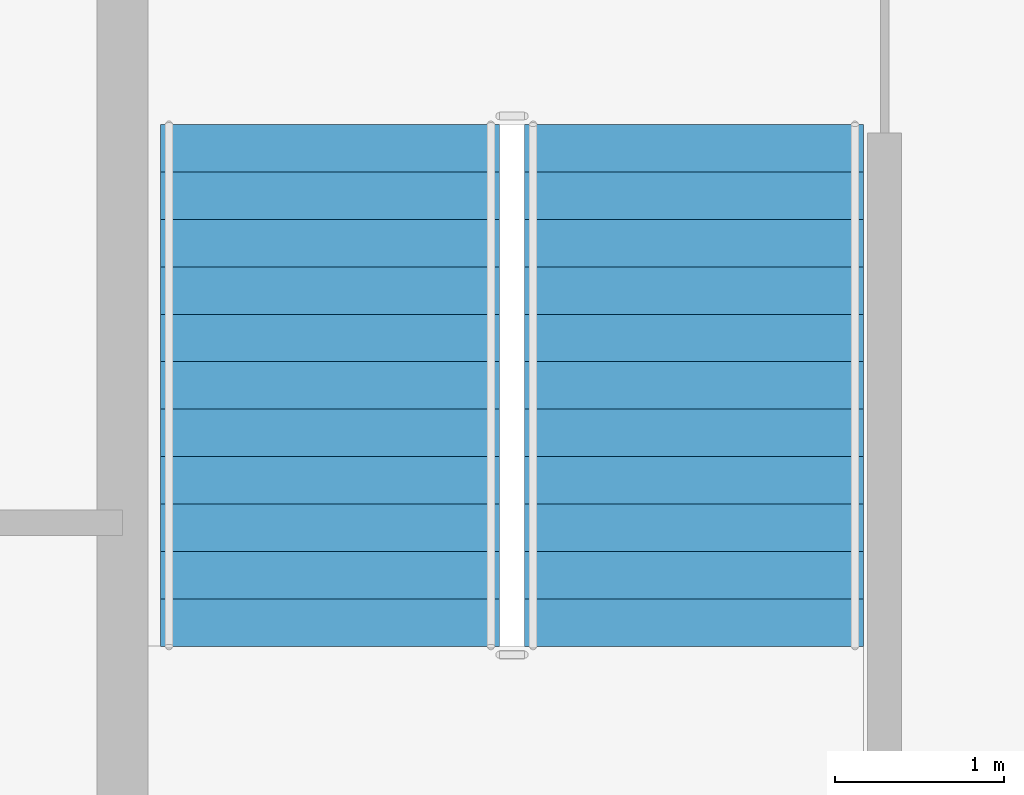
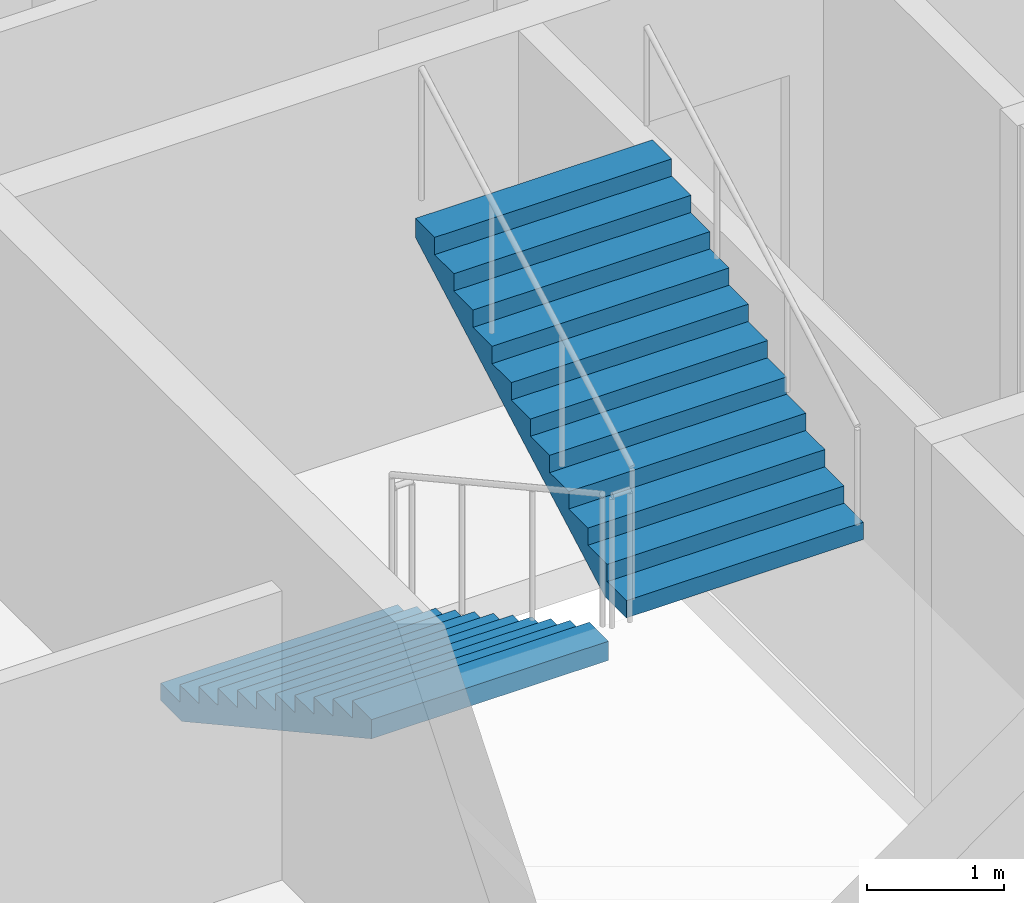
# One storey, part 7 of 11: 2 stair flights, 1 element without a shape of its own.
"""IFC4 building model written with IfcOpenShell, lengths in metres."""

from ifc_helpers import new_model, si_unit, direction, frame, origin, place, context, subcontext, project, spatial, polygons, material, type_object, element, aggregate, save


model = new_model("IFC4")

# Units and contexts
model_context = context("Model", 3, precision=1e-05, world=origin(), true_north=direction((0.0, 1.0)))
body_context = subcontext(model_context, "Body", "Model", "MODEL_VIEW")
ifc_project = project(units=[si_unit("LENGTHUNIT", "METRE"), si_unit("AREAUNIT", "SQUARE_METRE"), si_unit("VOLUMEUNIT", "CUBIC_METRE"), si_unit("PLANEANGLEUNIT", "RADIAN"), si_unit("MASSUNIT", "GRAM", prefix="KILO")], contexts=[model_context])

# Site, building, storey
site_placement = place(None, origin())
site = spatial("IfcSite", under=ifc_project, at=site_placement, CompositionType="ELEMENT")
building_placement = place(site_placement, origin())
building = spatial("IfcBuilding", under=site, at=building_placement, Name="Caravel Reach Hotel and Residences", CompositionType="ELEMENT")
storey_placement = place(building_placement, frame((0.0, 0.0, 274.89990234375)))
storey = spatial("IfcBuildingStorey", under=building, at=storey_placement, Name="L70", CompositionType="ELEMENT", Elevation=274.89990234375)

# Stair, stair flights
ifc_material_1 = material(Name="Concrete C40", Category="concrete")
stair_type = type_object("IfcStairType", Name="Core stair", PredefinedType="HALF_TURN_STAIR", material=ifc_material_1)
stair_placement = place(storey_placement, origin())
stair = element("IfcStair", 1, at=stair_placement, inside=storey, type_object=stair_type, Name="L70 Exit stair A", PredefinedType="HALF_TURN_STAIR")
ifc_material_2 = material(Name="Concrete C40", Category="concrete")
stair_flight_type = type_object("IfcStairFlightType", Name="Core stair flight", PredefinedType="STRAIGHT", material=ifc_material_2)
stair_flight_1_placement = place(storey_placement, frame((19.22509765625, 29.35009765625, 0.0), z_axis=(0.0, 0.0, 1.0), x_axis=(0.0, -1.0, 0.0)))
stair_flight_1 = element("IfcStairFlight", 2, at=stair_flight_1_placement, type_object=stair_flight_type, Name="ST-A flight 1", NumberOfRisers=12, NumberOfTreads=11, PredefinedType="STRAIGHT", RiserHeight=0.154166667, TreadLength=0.28, context=body_context, shape_type="Tessellation", body=[
    polygons([(0.3107950034306102, 1.0, 0.0), (0.3107950034306102, 0.6666666666666667, 0.0), (0.3107950034306102, 0.33333333333333337, 0.0), (0.3107950034306102, 0.0, 0.0), (0.3107950034306102, -0.33333333333333326, 0.0), (0.3107950034306102, -0.6666666666666667, 0.0), (0.3107950034306102, -1.0, 0.0), (3.081, 1.0, 1.524711087717319), (3.081, 0.6666666666666667, 1.524711087717319), (3.081, 0.33333333333333337, 1.524711087717319), (3.081, 0.0, 1.524711087717319), (3.081, -0.33333333333333326, 1.524711087717319), (3.081, -0.6666666666666667, 1.524711087717319), (3.081, -1.0, 1.524711087717319), (3.081, 1.0, 1.695833337), (3.081, 0.6666666666666667, 1.695833337), (3.081, 0.33333333333333337, 1.695833337), (3.081, 0.0, 1.695833337), (3.081, -0.33333333333333326, 1.695833337), (3.081, -0.6666666666666667, 1.695833337), (3.081, -1.0, 1.695833337), (2.8000000000000003, 1.0, 1.695833337), (2.8000000000000003, 0.6666666666666667, 1.695833337), (2.8000000000000003, 0.33333333333333337, 1.695833337), (2.8000000000000003, 0.0, 1.695833337), (2.8000000000000003, -0.33333333333333326, 1.695833337), (2.8000000000000003, -0.6666666666666667, 1.695833337), (2.8000000000000003, -1.0, 1.695833337), (2.8000000000000003, 1.0, 1.5416666700000001), (2.8000000000000003, 0.6666666666666667, 1.5416666700000001), (2.8000000000000003, 0.33333333333333337, 1.5416666700000001), (2.8000000000000003, 0.0, 1.5416666700000001), (2.8000000000000003, -0.33333333333333326, 1.5416666700000001), (2.8000000000000003, -0.6666666666666667, 1.5416666700000001), (2.8000000000000003, -1.0, 1.5416666700000001), (2.5200000000000005, 1.0, 1.5416666700000001), (2.5200000000000005, 0.6666666666666667, 1.5416666700000001), (2.5200000000000005, 0.33333333333333337, 1.5416666700000001), (2.5200000000000005, 0.0, 1.5416666700000001), (2.5200000000000005, -0.33333333333333326, 1.5416666700000001), (2.5200000000000005, -0.6666666666666667, 1.5416666700000001), (2.5200000000000005, -1.0, 1.5416666700000001), (2.5200000000000005, 1.0, 1.387500003), (2.5200000000000005, 0.6666666666666667, 1.387500003), (2.5200000000000005, 0.33333333333333337, 1.387500003), (2.5200000000000005, 0.0, 1.387500003), (2.5200000000000005, -0.33333333333333326, 1.387500003), (2.5200000000000005, -0.6666666666666667, 1.387500003), (2.5200000000000005, -1.0, 1.387500003), (2.24, 1.0, 1.387500003), (2.24, 0.6666666666666667, 1.387500003), (2.24, 0.33333333333333337, 1.387500003), (2.24, 0.0, 1.387500003), (2.24, -0.33333333333333326, 1.387500003), (2.24, -0.6666666666666667, 1.387500003), (2.24, -1.0, 1.387500003), (2.24, 1.0, 1.233333336), (2.24, 0.6666666666666667, 1.233333336), (2.24, 0.33333333333333337, 1.233333336), (2.24, 0.0, 1.233333336), (2.24, -0.33333333333333326, 1.233333336), (2.24, -0.6666666666666667, 1.233333336), (2.24, -1.0, 1.233333336), (1.9600000000000002, 1.0, 1.233333336), (1.9600000000000002, 0.6666666666666667, 1.233333336), (1.9600000000000002, 0.33333333333333337, 1.233333336), (1.9600000000000002, 0.0, 1.233333336), (1.9600000000000002, -0.33333333333333326, 1.233333336), (1.9600000000000002, -0.6666666666666667, 1.233333336), (1.9600000000000002, -1.0, 1.233333336), (1.9600000000000002, 1.0, 1.0791666690000001), (1.9600000000000002, 0.6666666666666667, 1.0791666690000001), (1.9600000000000002, 0.33333333333333337, 1.0791666690000001), (1.9600000000000002, 0.0, 1.0791666690000001), (1.9600000000000002, -0.33333333333333326, 1.0791666690000001), (1.9600000000000002, -0.6666666666666667, 1.0791666690000001), (1.9600000000000002, -1.0, 1.0791666690000001), (1.6800000000000002, 1.0, 1.0791666690000001), (1.6800000000000002, 0.6666666666666667, 1.0791666690000001), (1.6800000000000002, 0.33333333333333337, 1.0791666690000001), (1.6800000000000002, 0.0, 1.0791666690000001), (1.6800000000000002, -0.33333333333333326, 1.0791666690000001), (1.6800000000000002, -0.6666666666666667, 1.0791666690000001), (1.6800000000000002, -1.0, 1.0791666690000001), (1.6800000000000002, 1.0, 0.925000002), (1.6800000000000002, 0.6666666666666667, 0.925000002), (1.6800000000000002, 0.33333333333333337, 0.925000002), (1.6800000000000002, 0.0, 0.925000002), (1.6800000000000002, -0.33333333333333326, 0.925000002), (1.6800000000000002, -0.6666666666666667, 0.925000002), (1.6800000000000002, -1.0, 0.925000002), (1.4000000000000001, 1.0, 0.925000002), (1.4000000000000001, 0.6666666666666667, 0.925000002), (1.4000000000000001, 0.33333333333333337, 0.925000002), (1.4000000000000001, 0.0, 0.925000002), (1.4000000000000001, -0.33333333333333326, 0.925000002), (1.4000000000000001, -0.6666666666666667, 0.925000002), (1.4000000000000001, -1.0, 0.925000002), (1.4000000000000001, 1.0, 0.7708333350000001), (1.4000000000000001, 0.6666666666666667, 0.7708333350000001), (1.4000000000000001, 0.33333333333333337, 0.7708333350000001), (1.4000000000000001, 0.0, 0.7708333350000001), (1.4000000000000001, -0.33333333333333326, 0.7708333350000001), (1.4000000000000001, -0.6666666666666667, 0.7708333350000001), (1.4000000000000001, -1.0, 0.7708333350000001), (1.12, 1.0, 0.7708333350000001), (1.12, 0.6666666666666667, 0.7708333350000001), (1.12, 0.33333333333333337, 0.7708333350000001), (1.12, 0.0, 0.7708333350000001), (1.12, -0.33333333333333326, 0.7708333350000001), (1.12, -0.6666666666666667, 0.7708333350000001), (1.12, -1.0, 0.7708333350000001), (1.12, 1.0, 0.616666668), (1.12, 0.6666666666666667, 0.616666668), (1.12, 0.33333333333333337, 0.616666668), (1.12, 0.0, 0.616666668), (1.12, -0.33333333333333326, 0.616666668), (1.12, -0.6666666666666667, 0.616666668), (1.12, -1.0, 0.616666668), (0.8400000000000001, 1.0, 0.616666668), (0.8400000000000001, 0.6666666666666667, 0.616666668), (0.8400000000000001, 0.33333333333333337, 0.616666668), (0.8400000000000001, 0.0, 0.616666668), (0.8400000000000001, -0.33333333333333326, 0.616666668), (0.8400000000000001, -0.6666666666666667, 0.616666668), (0.8400000000000001, -1.0, 0.616666668), (0.8400000000000001, 1.0, 0.462500001), (0.8400000000000001, 0.6666666666666667, 0.462500001), (0.8400000000000001, 0.33333333333333337, 0.462500001), (0.8400000000000001, 0.0, 0.462500001), (0.8400000000000001, -0.33333333333333326, 0.462500001), (0.8400000000000001, -0.6666666666666667, 0.462500001), (0.8400000000000001, -1.0, 0.462500001), (0.56, 1.0, 0.462500001), (0.56, 0.6666666666666667, 0.462500001), (0.56, 0.33333333333333337, 0.462500001), (0.56, 0.0, 0.462500001), (0.56, -0.33333333333333326, 0.462500001), (0.56, -0.6666666666666667, 0.462500001), (0.56, -1.0, 0.462500001), (0.56, 1.0, 0.308333334), (0.56, 0.6666666666666667, 0.308333334), (0.56, 0.33333333333333337, 0.308333334), (0.56, 0.0, 0.308333334), (0.56, -0.33333333333333326, 0.308333334), (0.56, -0.6666666666666667, 0.308333334), (0.56, -1.0, 0.308333334), (0.28, 1.0, 0.308333334), (0.28, 0.6666666666666667, 0.308333334), (0.28, 0.33333333333333337, 0.308333334), (0.28, 0.0, 0.308333334), (0.28, -0.33333333333333326, 0.308333334), (0.28, -0.6666666666666667, 0.308333334), (0.28, -1.0, 0.308333334), (0.28, 1.0, 0.154166667), (0.28, 0.6666666666666667, 0.154166667), (0.28, 0.33333333333333337, 0.154166667), (0.28, 0.0, 0.154166667), (0.28, -0.33333333333333326, 0.154166667), (0.28, -0.6666666666666667, 0.154166667), (0.28, -1.0, 0.154166667), (-0.001, 1.0, 0.154166667), (-0.001, 0.6666666666666667, 0.154166667), (-0.001, 0.33333333333333337, 0.154166667), (-0.001, 0.0, 0.154166667), (-0.001, -0.33333333333333326, 0.154166667), (-0.001, -0.6666666666666667, 0.154166667), (-0.001, -1.0, 0.154166667), (-0.001, 1.0, 0.0), (-0.001, 0.6666666666666667, 0.0), (-0.001, 0.33333333333333337, 0.0), (-0.001, 0.0, 0.0), (-0.001, -0.33333333333333326, 0.0), (-0.001, -0.6666666666666667, 0.0), (-0.001, -1.0, 0.0)], [[[169, 162, 155, 148, 141, 134, 127, 120, 113, 106, 99, 92, 85, 78, 71, 64, 57, 50, 43, 36, 29, 22, 15, 8, 1]], [[7, 14, 21, 28, 35, 42, 49, 56, 63, 70, 77, 84, 91, 98, 105, 112, 119, 126, 133, 140, 147, 154, 161, 168, 175]], [[1, 8, 9, 2]], [[2, 9, 10, 3]], [[3, 10, 11, 4]], [[4, 11, 12, 5]], [[5, 12, 13, 6]], [[6, 13, 14, 7]], [[8, 15, 16, 9]], [[9, 16, 17, 10]], [[10, 17, 18, 11]], [[11, 18, 19, 12]], [[12, 19, 20, 13]], [[13, 20, 21, 14]], [[15, 22, 23, 16]], [[16, 23, 24, 17]], [[17, 24, 25, 18]], [[18, 25, 26, 19]], [[19, 26, 27, 20]], [[20, 27, 28, 21]], [[22, 29, 30, 23]], [[23, 30, 31, 24]], [[24, 31, 32, 25]], [[25, 32, 33, 26]], [[26, 33, 34, 27]], [[27, 34, 35, 28]], [[29, 36, 37, 30]], [[30, 37, 38, 31]], [[31, 38, 39, 32]], [[32, 39, 40, 33]], [[33, 40, 41, 34]], [[34, 41, 42, 35]], [[36, 43, 44, 37]], [[37, 44, 45, 38]], [[38, 45, 46, 39]], [[39, 46, 47, 40]], [[40, 47, 48, 41]], [[41, 48, 49, 42]], [[43, 50, 51, 44]], [[44, 51, 52, 45]], [[45, 52, 53, 46]], [[46, 53, 54, 47]], [[47, 54, 55, 48]], [[48, 55, 56, 49]], [[50, 57, 58, 51]], [[51, 58, 59, 52]], [[52, 59, 60, 53]], [[53, 60, 61, 54]], [[54, 61, 62, 55]], [[55, 62, 63, 56]], [[57, 64, 65, 58]], [[58, 65, 66, 59]], [[59, 66, 67, 60]], [[60, 67, 68, 61]], [[61, 68, 69, 62]], [[62, 69, 70, 63]], [[64, 71, 72, 65]], [[65, 72, 73, 66]], [[66, 73, 74, 67]], [[67, 74, 75, 68]], [[68, 75, 76, 69]], [[69, 76, 77, 70]], [[71, 78, 79, 72]], [[72, 79, 80, 73]], [[73, 80, 81, 74]], [[74, 81, 82, 75]], [[75, 82, 83, 76]], [[76, 83, 84, 77]], [[78, 85, 86, 79]], [[79, 86, 87, 80]], [[80, 87, 88, 81]], [[81, 88, 89, 82]], [[82, 89, 90, 83]], [[83, 90, 91, 84]], [[85, 92, 93, 86]], [[86, 93, 94, 87]], [[87, 94, 95, 88]], [[88, 95, 96, 89]], [[89, 96, 97, 90]], [[90, 97, 98, 91]], [[92, 99, 100, 93]], [[93, 100, 101, 94]], [[94, 101, 102, 95]], [[95, 102, 103, 96]], [[96, 103, 104, 97]], [[97, 104, 105, 98]], [[99, 106, 107, 100]], [[100, 107, 108, 101]], [[101, 108, 109, 102]], [[102, 109, 110, 103]], [[103, 110, 111, 104]], [[104, 111, 112, 105]], [[106, 113, 114, 107]], [[107, 114, 115, 108]], [[108, 115, 116, 109]], [[109, 116, 117, 110]], [[110, 117, 118, 111]], [[111, 118, 119, 112]], [[113, 120, 121, 114]], [[114, 121, 122, 115]], [[115, 122, 123, 116]], [[116, 123, 124, 117]], [[117, 124, 125, 118]], [[118, 125, 126, 119]], [[120, 127, 128, 121]], [[121, 128, 129, 122]], [[122, 129, 130, 123]], [[123, 130, 131, 124]], [[124, 131, 132, 125]], [[125, 132, 133, 126]], [[127, 134, 135, 128]], [[128, 135, 136, 129]], [[129, 136, 137, 130]], [[130, 137, 138, 131]], [[131, 138, 139, 132]], [[132, 139, 140, 133]], [[134, 141, 142, 135]], [[135, 142, 143, 136]], [[136, 143, 144, 137]], [[137, 144, 145, 138]], [[138, 145, 146, 139]], [[139, 146, 147, 140]], [[141, 148, 149, 142]], [[142, 149, 150, 143]], [[143, 150, 151, 144]], [[144, 151, 152, 145]], [[145, 152, 153, 146]], [[146, 153, 154, 147]], [[148, 155, 156, 149]], [[149, 156, 157, 150]], [[150, 157, 158, 151]], [[151, 158, 159, 152]], [[152, 159, 160, 153]], [[153, 160, 161, 154]], [[155, 162, 163, 156]], [[156, 163, 164, 157]], [[157, 164, 165, 158]], [[158, 165, 166, 159]], [[159, 166, 167, 160]], [[160, 167, 168, 161]], [[162, 169, 170, 163]], [[163, 170, 171, 164]], [[164, 171, 172, 165]], [[165, 172, 173, 166]], [[166, 173, 174, 167]], [[167, 174, 175, 168]], [[169, 1, 2, 170]], [[170, 2, 3, 171]], [[171, 3, 4, 172]], [[172, 4, 5, 173]], [[173, 5, 6, 174]], [[174, 6, 7, 175]]], closed=True),
])
stair_flight_2_placement = place(storey_placement, frame((21.375, 26.27001953125, 1.85009765625), z_axis=(0.0, 0.0, 1.0), x_axis=(0.0, 1.0, 0.0)))
stair_flight_2 = element("IfcStairFlight", 3, at=stair_flight_2_placement, type_object=stair_flight_type, Name="ST-A flight 2", NumberOfRisers=12, NumberOfTreads=11, PredefinedType="STRAIGHT", RiserHeight=0.154166667, TreadLength=0.28, context=body_context, shape_type="Tessellation", body=[
    polygons([(0.3107950034306102, 1.0, 0.0), (0.3107950034306102, 0.6666666666666667, 0.0), (0.3107950034306102, 0.33333333333333337, 0.0), (0.3107950034306102, 0.0, 0.0), (0.3107950034306102, -0.33333333333333326, 0.0), (0.3107950034306102, -0.6666666666666667, 0.0), (0.3107950034306102, -1.0, 0.0), (3.081, 1.0, 1.524711087717319), (3.081, 0.6666666666666667, 1.524711087717319), (3.081, 0.33333333333333337, 1.524711087717319), (3.081, 0.0, 1.524711087717319), (3.081, -0.33333333333333326, 1.524711087717319), (3.081, -0.6666666666666667, 1.524711087717319), (3.081, -1.0, 1.524711087717319), (3.081, 1.0, 1.695833337), (3.081, 0.6666666666666667, 1.695833337), (3.081, 0.33333333333333337, 1.695833337), (3.081, 0.0, 1.695833337), (3.081, -0.33333333333333326, 1.695833337), (3.081, -0.6666666666666667, 1.695833337), (3.081, -1.0, 1.695833337), (2.8000000000000003, 1.0, 1.695833337), (2.8000000000000003, 0.6666666666666667, 1.695833337), (2.8000000000000003, 0.33333333333333337, 1.695833337), (2.8000000000000003, 0.0, 1.695833337), (2.8000000000000003, -0.33333333333333326, 1.695833337), (2.8000000000000003, -0.6666666666666667, 1.695833337), (2.8000000000000003, -1.0, 1.695833337), (2.8000000000000003, 1.0, 1.5416666700000001), (2.8000000000000003, 0.6666666666666667, 1.5416666700000001), (2.8000000000000003, 0.33333333333333337, 1.5416666700000001), (2.8000000000000003, 0.0, 1.5416666700000001), (2.8000000000000003, -0.33333333333333326, 1.5416666700000001), (2.8000000000000003, -0.6666666666666667, 1.5416666700000001), (2.8000000000000003, -1.0, 1.5416666700000001), (2.5200000000000005, 1.0, 1.5416666700000001), (2.5200000000000005, 0.6666666666666667, 1.5416666700000001), (2.5200000000000005, 0.33333333333333337, 1.5416666700000001), (2.5200000000000005, 0.0, 1.5416666700000001), (2.5200000000000005, -0.33333333333333326, 1.5416666700000001), (2.5200000000000005, -0.6666666666666667, 1.5416666700000001), (2.5200000000000005, -1.0, 1.5416666700000001), (2.5200000000000005, 1.0, 1.387500003), (2.5200000000000005, 0.6666666666666667, 1.387500003), (2.5200000000000005, 0.33333333333333337, 1.387500003), (2.5200000000000005, 0.0, 1.387500003), (2.5200000000000005, -0.33333333333333326, 1.387500003), (2.5200000000000005, -0.6666666666666667, 1.387500003), (2.5200000000000005, -1.0, 1.387500003), (2.24, 1.0, 1.387500003), (2.24, 0.6666666666666667, 1.387500003), (2.24, 0.33333333333333337, 1.387500003), (2.24, 0.0, 1.387500003), (2.24, -0.33333333333333326, 1.387500003), (2.24, -0.6666666666666667, 1.387500003), (2.24, -1.0, 1.387500003), (2.24, 1.0, 1.233333336), (2.24, 0.6666666666666667, 1.233333336), (2.24, 0.33333333333333337, 1.233333336), (2.24, 0.0, 1.233333336), (2.24, -0.33333333333333326, 1.233333336), (2.24, -0.6666666666666667, 1.233333336), (2.24, -1.0, 1.233333336), (1.9600000000000002, 1.0, 1.233333336), (1.9600000000000002, 0.6666666666666667, 1.233333336), (1.9600000000000002, 0.33333333333333337, 1.233333336), (1.9600000000000002, 0.0, 1.233333336), (1.9600000000000002, -0.33333333333333326, 1.233333336), (1.9600000000000002, -0.6666666666666667, 1.233333336), (1.9600000000000002, -1.0, 1.233333336), (1.9600000000000002, 1.0, 1.0791666690000001), (1.9600000000000002, 0.6666666666666667, 1.0791666690000001), (1.9600000000000002, 0.33333333333333337, 1.0791666690000001), (1.9600000000000002, 0.0, 1.0791666690000001), (1.9600000000000002, -0.33333333333333326, 1.0791666690000001), (1.9600000000000002, -0.6666666666666667, 1.0791666690000001), (1.9600000000000002, -1.0, 1.0791666690000001), (1.6800000000000002, 1.0, 1.0791666690000001), (1.6800000000000002, 0.6666666666666667, 1.0791666690000001), (1.6800000000000002, 0.33333333333333337, 1.0791666690000001), (1.6800000000000002, 0.0, 1.0791666690000001), (1.6800000000000002, -0.33333333333333326, 1.0791666690000001), (1.6800000000000002, -0.6666666666666667, 1.0791666690000001), (1.6800000000000002, -1.0, 1.0791666690000001), (1.6800000000000002, 1.0, 0.925000002), (1.6800000000000002, 0.6666666666666667, 0.925000002), (1.6800000000000002, 0.33333333333333337, 0.925000002), (1.6800000000000002, 0.0, 0.925000002), (1.6800000000000002, -0.33333333333333326, 0.925000002), (1.6800000000000002, -0.6666666666666667, 0.925000002), (1.6800000000000002, -1.0, 0.925000002), (1.4000000000000001, 1.0, 0.925000002), (1.4000000000000001, 0.6666666666666667, 0.925000002), (1.4000000000000001, 0.33333333333333337, 0.925000002), (1.4000000000000001, 0.0, 0.925000002), (1.4000000000000001, -0.33333333333333326, 0.925000002), (1.4000000000000001, -0.6666666666666667, 0.925000002), (1.4000000000000001, -1.0, 0.925000002), (1.4000000000000001, 1.0, 0.7708333350000001), (1.4000000000000001, 0.6666666666666667, 0.7708333350000001), (1.4000000000000001, 0.33333333333333337, 0.7708333350000001), (1.4000000000000001, 0.0, 0.7708333350000001), (1.4000000000000001, -0.33333333333333326, 0.7708333350000001), (1.4000000000000001, -0.6666666666666667, 0.7708333350000001), (1.4000000000000001, -1.0, 0.7708333350000001), (1.12, 1.0, 0.7708333350000001), (1.12, 0.6666666666666667, 0.7708333350000001), (1.12, 0.33333333333333337, 0.7708333350000001), (1.12, 0.0, 0.7708333350000001), (1.12, -0.33333333333333326, 0.7708333350000001), (1.12, -0.6666666666666667, 0.7708333350000001), (1.12, -1.0, 0.7708333350000001), (1.12, 1.0, 0.616666668), (1.12, 0.6666666666666667, 0.616666668), (1.12, 0.33333333333333337, 0.616666668), (1.12, 0.0, 0.616666668), (1.12, -0.33333333333333326, 0.616666668), (1.12, -0.6666666666666667, 0.616666668), (1.12, -1.0, 0.616666668), (0.8400000000000001, 1.0, 0.616666668), (0.8400000000000001, 0.6666666666666667, 0.616666668), (0.8400000000000001, 0.33333333333333337, 0.616666668), (0.8400000000000001, 0.0, 0.616666668), (0.8400000000000001, -0.33333333333333326, 0.616666668), (0.8400000000000001, -0.6666666666666667, 0.616666668), (0.8400000000000001, -1.0, 0.616666668), (0.8400000000000001, 1.0, 0.462500001), (0.8400000000000001, 0.6666666666666667, 0.462500001), (0.8400000000000001, 0.33333333333333337, 0.462500001), (0.8400000000000001, 0.0, 0.462500001), (0.8400000000000001, -0.33333333333333326, 0.462500001), (0.8400000000000001, -0.6666666666666667, 0.462500001), (0.8400000000000001, -1.0, 0.462500001), (0.56, 1.0, 0.462500001), (0.56, 0.6666666666666667, 0.462500001), (0.56, 0.33333333333333337, 0.462500001), (0.56, 0.0, 0.462500001), (0.56, -0.33333333333333326, 0.462500001), (0.56, -0.6666666666666667, 0.462500001), (0.56, -1.0, 0.462500001), (0.56, 1.0, 0.308333334), (0.56, 0.6666666666666667, 0.308333334), (0.56, 0.33333333333333337, 0.308333334), (0.56, 0.0, 0.308333334), (0.56, -0.33333333333333326, 0.308333334), (0.56, -0.6666666666666667, 0.308333334), (0.56, -1.0, 0.308333334), (0.28, 1.0, 0.308333334), (0.28, 0.6666666666666667, 0.308333334), (0.28, 0.33333333333333337, 0.308333334), (0.28, 0.0, 0.308333334), (0.28, -0.33333333333333326, 0.308333334), (0.28, -0.6666666666666667, 0.308333334), (0.28, -1.0, 0.308333334), (0.28, 1.0, 0.154166667), (0.28, 0.6666666666666667, 0.154166667), (0.28, 0.33333333333333337, 0.154166667), (0.28, 0.0, 0.154166667), (0.28, -0.33333333333333326, 0.154166667), (0.28, -0.6666666666666667, 0.154166667), (0.28, -1.0, 0.154166667), (-0.001, 1.0, 0.154166667), (-0.001, 0.6666666666666667, 0.154166667), (-0.001, 0.33333333333333337, 0.154166667), (-0.001, 0.0, 0.154166667), (-0.001, -0.33333333333333326, 0.154166667), (-0.001, -0.6666666666666667, 0.154166667), (-0.001, -1.0, 0.154166667), (-0.001, 1.0, 0.0), (-0.001, 0.6666666666666667, 0.0), (-0.001, 0.33333333333333337, 0.0), (-0.001, 0.0, 0.0), (-0.001, -0.33333333333333326, 0.0), (-0.001, -0.6666666666666667, 0.0), (-0.001, -1.0, 0.0)], [[[169, 162, 155, 148, 141, 134, 127, 120, 113, 106, 99, 92, 85, 78, 71, 64, 57, 50, 43, 36, 29, 22, 15, 8, 1]], [[7, 14, 21, 28, 35, 42, 49, 56, 63, 70, 77, 84, 91, 98, 105, 112, 119, 126, 133, 140, 147, 154, 161, 168, 175]], [[1, 8, 9, 2]], [[2, 9, 10, 3]], [[3, 10, 11, 4]], [[4, 11, 12, 5]], [[5, 12, 13, 6]], [[6, 13, 14, 7]], [[8, 15, 16, 9]], [[9, 16, 17, 10]], [[10, 17, 18, 11]], [[11, 18, 19, 12]], [[12, 19, 20, 13]], [[13, 20, 21, 14]], [[15, 22, 23, 16]], [[16, 23, 24, 17]], [[17, 24, 25, 18]], [[18, 25, 26, 19]], [[19, 26, 27, 20]], [[20, 27, 28, 21]], [[22, 29, 30, 23]], [[23, 30, 31, 24]], [[24, 31, 32, 25]], [[25, 32, 33, 26]], [[26, 33, 34, 27]], [[27, 34, 35, 28]], [[29, 36, 37, 30]], [[30, 37, 38, 31]], [[31, 38, 39, 32]], [[32, 39, 40, 33]], [[33, 40, 41, 34]], [[34, 41, 42, 35]], [[36, 43, 44, 37]], [[37, 44, 45, 38]], [[38, 45, 46, 39]], [[39, 46, 47, 40]], [[40, 47, 48, 41]], [[41, 48, 49, 42]], [[43, 50, 51, 44]], [[44, 51, 52, 45]], [[45, 52, 53, 46]], [[46, 53, 54, 47]], [[47, 54, 55, 48]], [[48, 55, 56, 49]], [[50, 57, 58, 51]], [[51, 58, 59, 52]], [[52, 59, 60, 53]], [[53, 60, 61, 54]], [[54, 61, 62, 55]], [[55, 62, 63, 56]], [[57, 64, 65, 58]], [[58, 65, 66, 59]], [[59, 66, 67, 60]], [[60, 67, 68, 61]], [[61, 68, 69, 62]], [[62, 69, 70, 63]], [[64, 71, 72, 65]], [[65, 72, 73, 66]], [[66, 73, 74, 67]], [[67, 74, 75, 68]], [[68, 75, 76, 69]], [[69, 76, 77, 70]], [[71, 78, 79, 72]], [[72, 79, 80, 73]], [[73, 80, 81, 74]], [[74, 81, 82, 75]], [[75, 82, 83, 76]], [[76, 83, 84, 77]], [[78, 85, 86, 79]], [[79, 86, 87, 80]], [[80, 87, 88, 81]], [[81, 88, 89, 82]], [[82, 89, 90, 83]], [[83, 90, 91, 84]], [[85, 92, 93, 86]], [[86, 93, 94, 87]], [[87, 94, 95, 88]], [[88, 95, 96, 89]], [[89, 96, 97, 90]], [[90, 97, 98, 91]], [[92, 99, 100, 93]], [[93, 100, 101, 94]], [[94, 101, 102, 95]], [[95, 102, 103, 96]], [[96, 103, 104, 97]], [[97, 104, 105, 98]], [[99, 106, 107, 100]], [[100, 107, 108, 101]], [[101, 108, 109, 102]], [[102, 109, 110, 103]], [[103, 110, 111, 104]], [[104, 111, 112, 105]], [[106, 113, 114, 107]], [[107, 114, 115, 108]], [[108, 115, 116, 109]], [[109, 116, 117, 110]], [[110, 117, 118, 111]], [[111, 118, 119, 112]], [[113, 120, 121, 114]], [[114, 121, 122, 115]], [[115, 122, 123, 116]], [[116, 123, 124, 117]], [[117, 124, 125, 118]], [[118, 125, 126, 119]], [[120, 127, 128, 121]], [[121, 128, 129, 122]], [[122, 129, 130, 123]], [[123, 130, 131, 124]], [[124, 131, 132, 125]], [[125, 132, 133, 126]], [[127, 134, 135, 128]], [[128, 135, 136, 129]], [[129, 136, 137, 130]], [[130, 137, 138, 131]], [[131, 138, 139, 132]], [[132, 139, 140, 133]], [[134, 141, 142, 135]], [[135, 142, 143, 136]], [[136, 143, 144, 137]], [[137, 144, 145, 138]], [[138, 145, 146, 139]], [[139, 146, 147, 140]], [[141, 148, 149, 142]], [[142, 149, 150, 143]], [[143, 150, 151, 144]], [[144, 151, 152, 145]], [[145, 152, 153, 146]], [[146, 153, 154, 147]], [[148, 155, 156, 149]], [[149, 156, 157, 150]], [[150, 157, 158, 151]], [[151, 158, 159, 152]], [[152, 159, 160, 153]], [[153, 160, 161, 154]], [[155, 162, 163, 156]], [[156, 163, 164, 157]], [[157, 164, 165, 158]], [[158, 165, 166, 159]], [[159, 166, 167, 160]], [[160, 167, 168, 161]], [[162, 169, 170, 163]], [[163, 170, 171, 164]], [[164, 171, 172, 165]], [[165, 172, 173, 166]], [[166, 173, 174, 167]], [[167, 174, 175, 168]], [[169, 1, 2, 170]], [[170, 2, 3, 171]], [[171, 3, 4, 172]], [[172, 4, 5, 173]], [[173, 5, 6, 174]], [[174, 6, 7, 175]]], closed=True),
])
aggregate(stair, [stair_flight_1, stair_flight_2])

save(model, "model.ifc")
